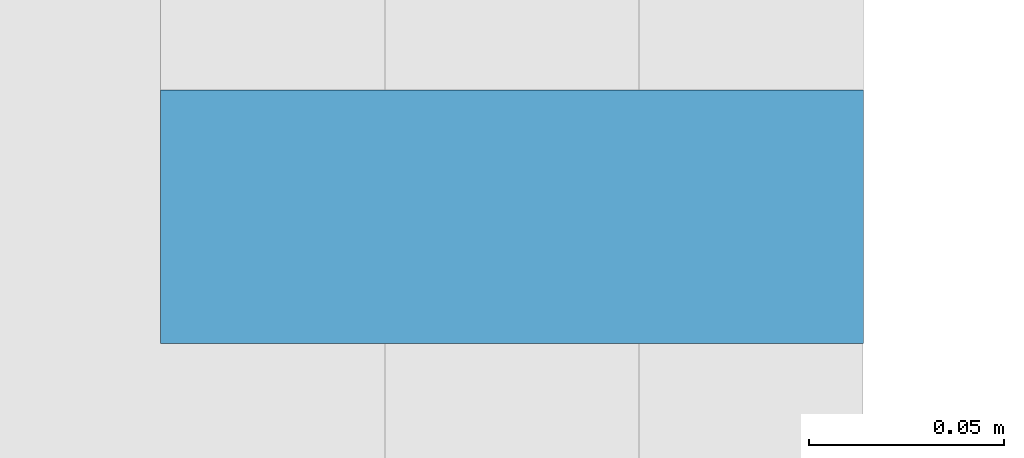
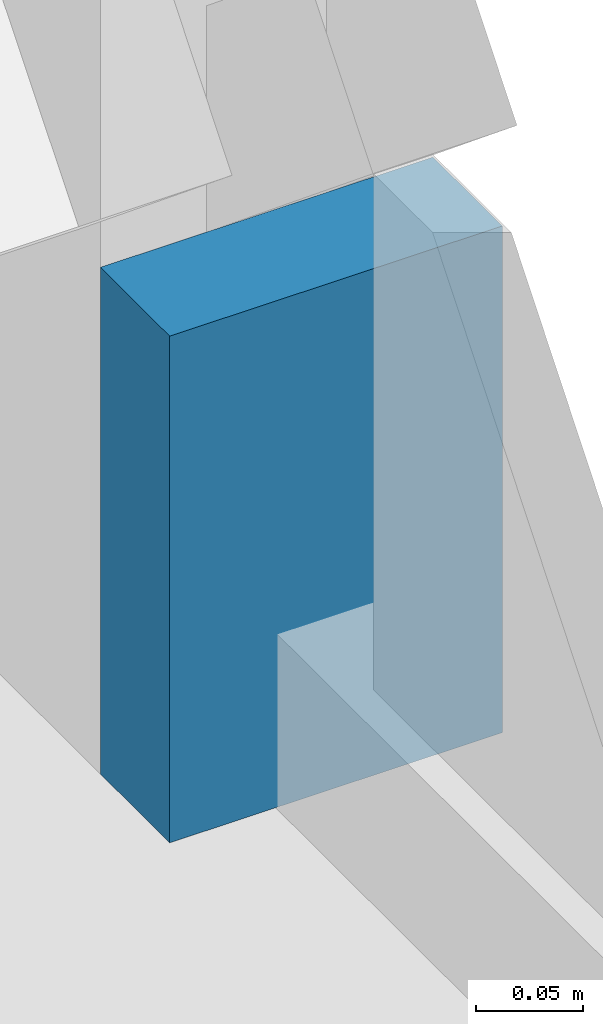
# One storey, part 50 of 110: 1 member, 1 element without a shape of its own.
"""IFC4 building model written with IfcOpenShell, lengths in metres."""

from ifc_helpers import new_model, si_unit, direction, frame, origin, origin_2d, place, context, subcontext, project, spatial, rectangle, extrude, material, layer, layer_set, material_profile, profile_set, type_object, element, aggregate, save


model = new_model("IFC4")

# Units and contexts
model_context = context("Model", 3, precision=1e-05, world=origin(), true_north=direction((0.0, 1.0)))
body_context = subcontext(model_context, "Body", "Model", "MODEL_VIEW")
ifc_project = project(units=[si_unit("LENGTHUNIT", "METRE"), si_unit("AREAUNIT", "SQUARE_METRE"), si_unit("VOLUMEUNIT", "CUBIC_METRE"), si_unit("PLANEANGLEUNIT", "RADIAN"), si_unit("MASSUNIT", "GRAM", prefix="KILO")], contexts=[model_context])

# Site, building, storey
site_placement = place(None, origin())
site = spatial("IfcSite", under=ifc_project, at=site_placement, CompositionType="ELEMENT")
building_placement = place(site_placement, origin())
building = spatial("IfcBuilding", under=site, at=building_placement, Name="Windward Yard Aquatics Centre", CompositionType="ELEMENT")
storey_placement = place(building_placement, frame((0.0, 0.0, 22.60009765625)))
storey = spatial("IfcBuildingStorey", under=building, at=storey_placement, Name="L05", CompositionType="ELEMENT", Elevation=22.60009765625)

# Curtain wall, member
ifc_material_1 = material(Name="Glass and aluminium curtain wall", Category="aluminium")
ifc_layer = layer(ifc_material_1, 0.179931640625)
ifc_layer_set = layer_set([ifc_layer], Name="H gable glazing system double glazed 8+16+8")
curtain_wall_type = type_object("IfcCurtainWallType", Name="H gable glazing system double glazed 8+16+8", PredefinedType="NOTDEFINED", material=ifc_layer_set)
curtain_wall_placement = place(storey_placement, origin())
curtain_wall = element("IfcCurtainWall", 1, at=curtain_wall_placement, inside=storey, type_object=curtain_wall_type, Name="Gable glazing E", PredefinedType="NOTDEFINED")
ifc_material_2 = material(Name="Aluminium 6063-T6 anodised", Category="aluminium")
ifc_material_profile = material_profile(ifc_material_2, rectangle(XDim=0.06494140625, YDim=0.179931640625, at=origin_2d()), Name="H CW mullion 65x180")
ifc_profile_set = profile_set([ifc_material_profile], Name="Aluminium 6063-T6 anodised")
member_type = type_object("IfcMemberType", Name="H CW mullion 65x180", PredefinedType="MULLION", material=ifc_profile_set)
member_placement = place(storey_placement, frame((144.590087890625, 81.840576171875, 0.0), z_axis=(0.0, 0.0, 1.0), x_axis=(0.0, 1.0, 0.0)))
member = element("IfcMember", 2, at=member_placement, type_object=member_type, Name="Gable mullion 19", PredefinedType="MULLION", context=body_context, shape_type="SweptSolid", body=[
    extrude(rectangle(XDim=0.06494140625, YDim=0.179931640625, at=origin_2d()), origin(), (0.0, 0.0, 1.0), 0.289794921875),
])
aggregate(curtain_wall, [member])

save(model, "model.ifc")
